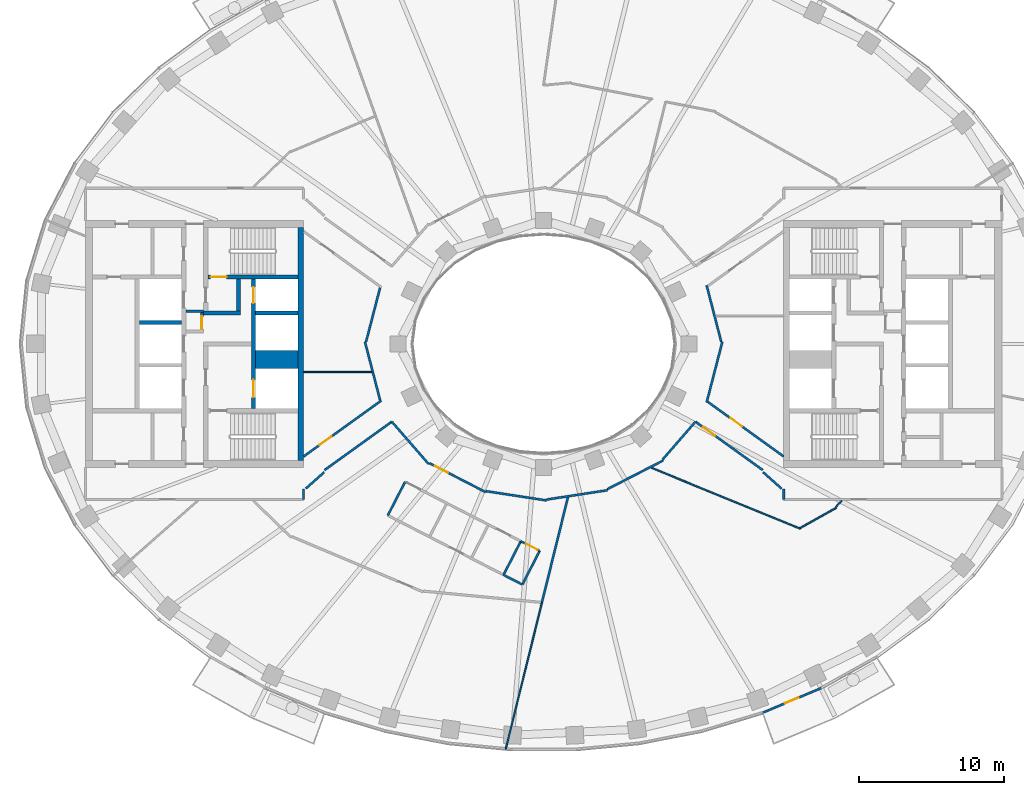
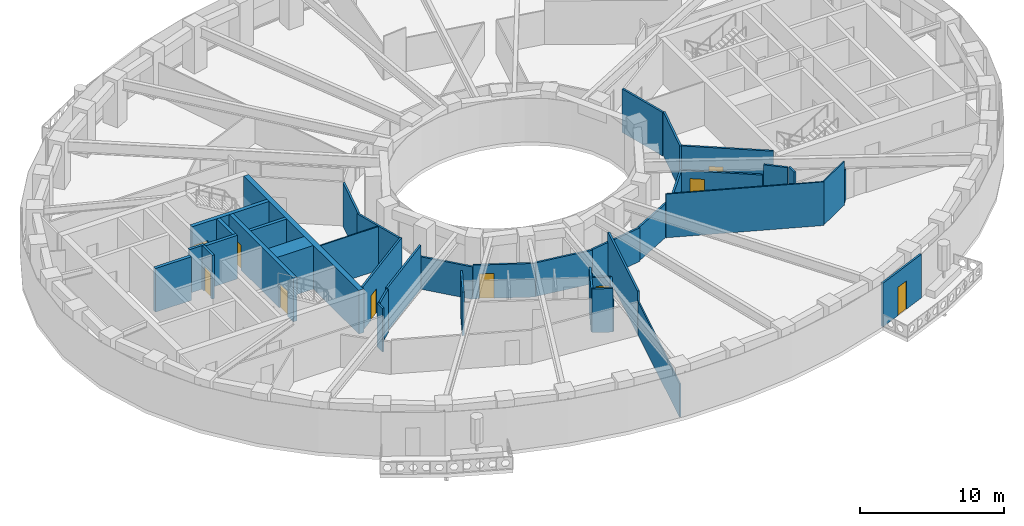
# One storey, part 4 of 15: 40 walls, 10 doors, 10 openings.
"""IFC4 building model written with IfcOpenShell, lengths in metres."""

from ifc_helpers import new_model, si_unit, direction, frame, frame_2d, origin, place, context, subcontext, project, spatial, rectangle, extrude, material, layer, layer_set, type_object, element, fill, save


model = new_model("IFC4")

# Units and contexts
model_context = context("Model", 3, precision=1e-05, world=origin(), true_north=direction((0.0, 1.0)))
body_context = subcontext(model_context, "Body", "Model", "MODEL_VIEW")
ifc_project = project(units=[si_unit("LENGTHUNIT", "METRE"), si_unit("AREAUNIT", "SQUARE_METRE"), si_unit("VOLUMEUNIT", "CUBIC_METRE"), si_unit("PLANEANGLEUNIT", "RADIAN"), si_unit("MASSUNIT", "GRAM", prefix="KILO")], contexts=[model_context])

# Site, building, storey
site_placement = place(None, origin())
site = spatial("IfcSite", under=ifc_project, at=site_placement, CompositionType="ELEMENT")
building_placement = place(site_placement, origin())
building = spatial("IfcBuilding", under=site, at=building_placement, Name="Noorbagh Ring Tower", CompositionType="ELEMENT")
storey_placement = place(building_placement, frame((0.0, 0.0, 170.0)))
storey = spatial("IfcBuildingStorey", under=building, at=storey_placement, Name="L39", CompositionType="ELEMENT", Elevation=170.0)

# Walls
ifc_material_1 = material(Name="Gypsum board on steel studs", Category="steel")
ifc_layer_1 = layer(ifc_material_1, 0.14990234375)
ifc_layer_set_1 = layer_set([ifc_layer_1], Name="Gypsum board on steel studs")
wall_type_1 = type_object("IfcWallType", Name="COMPARTMENT PARTITION 150 EI 60", PredefinedType="PARTITIONING", material=ifc_layer_set_1)
wall_1_placement = place(storey_placement, frame((-2.758056640625, -15.876953125, 0.0), z_axis=(0.0, 0.0, 1.0), x_axis=(0.45687697466, 0.88952989271, 0.0)))
element("IfcWall", 1, at=wall_1_placement, inside=storey, type_object=wall_type_1, Name="L39/wall/P33", PredefinedType="PARTITIONING", context=body_context, shape_type="SweptSolid", body=[
    extrude(rectangle(XDim=2.600341796875, YDim=0.14990234375, at=frame_2d((1.30029296875, 0.0))), origin(), (0.0, 0.0, 1.0), 3.699951171875),
])
wall_2_placement = place(storey_placement, frame((-2.758056640625, -15.876953125, 0.0), z_axis=(0.0, 0.0, 1.0), x_axis=(0.889397143567, -0.45713534212, 0.0)))
element("IfcWall", 2, at=wall_2_placement, inside=storey, type_object=wall_type_1, Name="L39/wall/P34", PredefinedType="PARTITIONING", context=body_context, shape_type="SweptSolid", body=[
    extrude(rectangle(XDim=1.45263671875, YDim=0.14990234375, at=frame_2d((0.726318359375, 0.0))), origin(), (0.0, 0.0, 1.0), 3.699951171875),
])

# Wall, opening, door
wall_3_placement = place(storey_placement, frame((-1.570068359375, -13.56396484375, 0.0), z_axis=(0.0, 0.0, 1.0), x_axis=(0.889307281448, -0.457310134551, 0.0)))
wall_3 = element("IfcWall", 3, at=wall_3_placement, inside=storey, type_object=wall_type_1, Name="L39/wall/P36", PredefinedType="PARTITIONING", context=body_context, shape_type="SweptSolid", body=[
    extrude(rectangle(XDim=1.456298828125, YDim=0.14990234375, at=frame_2d((0.72802734375, 0.0))), origin(), (0.0, 0.0, 1.0), 2.85009765625),
])
opening_1_placement = place(wall_3_placement, frame((0.39990234375, 0.0, 0.0)))
opening_1 = element("IfcOpeningElement", 4, at=opening_1_placement, cuts=wall_3, Name="Opening D4", PredefinedType="OPENING", context=body_context, shape_type="SweptSolid", body=[
    extrude(rectangle(XDim=0.89990234375, YDim=2.10009765625, at=frame_2d((0.449951171875, 1.050048828125))), frame((0.0, 0.0849609375, 0.0), z_axis=(0.0, -1.0, 0.0), x_axis=(1.0, 0.0, 0.0)), (0.0, 0.0, 1.0), 0.169921875),
])
ifc_material_2 = material(Name="Timber, painted", Category="wood")
door_type_1 = type_object("IfcDoorType", Name="DOOR 900 X 2100 FD60", OperationType="SINGLE_SWING_LEFT", PredefinedType="DOOR", material=ifc_material_2)
door_1_placement = place(opening_1_placement, origin())
door_1 = element("IfcDoor", 5, at=door_1_placement, inside=storey, type_object=door_type_1, Name="L39-D05", OperationType="SINGLE_SWING_LEFT", OverallHeight=2.10009765625, OverallWidth=0.89990234375, PredefinedType="DOOR", context=body_context, shape_type="SweptSolid", body=[
    extrude(rectangle(XDim=0.89990234375, YDim=2.10009765625, at=frame_2d((0.449951171875, 1.050048828125))), frame((0.0, 0.02490234375, 0.0), z_axis=(0.0, -1.0, 0.0), x_axis=(1.0, 0.0, 0.0)), (0.0, 0.0, 1.0), 0.050048828125),
])
fill(opening_1, door_1)

# Walls
wall_4_placement = place(storey_placement, frame((-1.4609375, -16.5390625, 0.0), z_axis=(0.0, 0.0, 1.0), x_axis=(0.456893187255, 0.889521565472, 0.0)))
element("IfcWall", 6, at=wall_4_placement, inside=storey, type_object=wall_type_1, Name="L39/wall/P37", PredefinedType="PARTITIONING", context=body_context, shape_type="SweptSolid", body=[
    extrude(rectangle(XDim=2.595947265625, YDim=0.14990234375, at=frame_2d((1.2978515625, 0.0))), origin(), (0.0, 0.0, 1.0), 2.85009765625),
])
ifc_material_3 = material(Name="Gypsum board on steel studs", Category="steel")
ifc_layer_2 = layer(ifc_material_3, 0.199951171875)
ifc_layer_set_2 = layer_set([ifc_layer_2], Name="Gypsum board on steel studs")
wall_type_2 = type_object("IfcWallType", Name="CORE-PARTITION-200", PredefinedType="PARTITIONING", material=ifc_layer_set_2)
wall_5_placement = place(storey_placement, frame((-23.39990234375, 2.25, 0.0), z_axis=(0.0, 0.0, 1.0), x_axis=(-1.0, 0.0, 0.0)))
element("IfcWall", 7, at=wall_5_placement, inside=storey, type_object=wall_type_2, Name="Core partition W", PredefinedType="PARTITIONING", context=body_context, shape_type="SweptSolid", body=[
    extrude(rectangle(XDim=1.2001953125, YDim=0.199951171875, at=frame_2d((0.60009765625, 0.0))), origin(), (0.0, 0.0, 1.0), 3.699951171875),
])

# Wall, opening, door
wall_6_placement = place(storey_placement, frame((-23.5, 0.75, 0.0), z_axis=(0.0, 0.0, 1.0), x_axis=(0.0, 1.0, 0.0)))
wall_6 = element("IfcWall", 8, at=wall_6_placement, inside=storey, type_object=wall_type_2, Name="Core partition W", PredefinedType="PARTITIONING", context=body_context, shape_type="SweptSolid", body=[
    extrude(rectangle(XDim=1.60009765625, YDim=0.199951171875, at=frame_2d((0.800048828125, 0.0))), origin(), (0.0, 0.0, 1.0), 3.699951171875),
])
opening_2_placement = place(wall_6_placement, frame((0.25, 0.0, 0.0)))
opening_2 = element("IfcOpeningElement", 9, at=opening_2_placement, cuts=wall_6, Name="Opening L39-CW16", PredefinedType="OPENING", context=body_context, shape_type="SweptSolid", body=[
    extrude(rectangle(XDim=0.89990234375, YDim=2.10009765625, at=frame_2d((0.449951171875, 1.050048828125))), frame((0.0, 0.10986328125, 0.0), z_axis=(0.0, -1.0, 0.0), x_axis=(1.0, 0.0, 0.0)), (0.0, 0.0, 1.0), 0.219970703125),
])
ifc_material_4 = material(Name="Steel door leaf", Category="steel")
door_type_2 = type_object("IfcDoorType", Name="CORE-DOOR-DROOM", OperationType="SINGLE_SWING_LEFT", PredefinedType="DOOR", material=ifc_material_4)
door_2_placement = place(opening_2_placement, origin())
door_2 = element("IfcDoor", 10, at=door_2_placement, inside=storey, type_object=door_type_2, Name="Core room door L39-CW16", OperationType="SINGLE_SWING_RIGHT", OverallHeight=2.10009765625, OverallWidth=0.89990234375, PredefinedType="DOOR", context=body_context, shape_type="SweptSolid", body=[
    extrude(rectangle(XDim=0.89990234375, YDim=2.10009765625, at=frame_2d((0.449951171875, 1.050048828125))), frame((0.0, 0.02490234375, 0.0), z_axis=(0.0, -1.0, 0.0), x_axis=(1.0, 0.0, 0.0)), (0.0, 0.0, 1.0), 0.050048828125),
])
fill(opening_2, door_2)

# Walls
ifc_material_5 = material(Name="Concrete C60/75", Category="concrete")
ifc_layer_3 = layer(ifc_material_5, 1.25)
ifc_layer_set_3 = layer_set([ifc_layer_3], Name="Concrete C60/75")
wall_type_3 = type_object("IfcWallType", Name="CORE-WALL-1250-C60-75-EI120", PredefinedType="SHEAR", material=ifc_layer_set_3)
wall_7_placement = place(storey_placement, frame((-16.89990234375, -1.074951171875, 0.0), z_axis=(0.0, 0.0, 1.0), x_axis=(-1.0, 0.0, 0.0)))
element("IfcWall", 11, at=wall_7_placement, inside=storey, type_object=wall_type_3, Name="Core wall W", PredefinedType="SHEAR", context=body_context, shape_type="SweptSolid", body=[
    extrude(rectangle(XDim=2.900146484375, YDim=1.25, at=frame_2d((1.4501953125, 0.0))), origin(), (0.0, 0.0, 1.0), 3.699951171875),
])
ifc_material_6 = material(Name="Concrete C60/75", Category="concrete")
ifc_layer_4 = layer(ifc_material_6, 0.25)
ifc_layer_set_4 = layer_set([ifc_layer_4], Name="Concrete C60/75")
wall_type_4 = type_object("IfcWallType", Name="CORE-WALL-250-C60-75-EI120", PredefinedType="SHEAR", material=ifc_layer_set_4)
for number, where, z_axis, x_axis, name in (
    (12, (-16.89990234375, 2.125, 0.0), (0.0, 0.0, 1.0), (-1.0, 0.0, 0.0), "Core wall W"),
    (13, (-24.89990234375, 1.47509765625, 0.0), (0.0, 0.0, 1.0), (-1.0, 0.0, 0.0), "Core wall W"),
):
    element("IfcWall", number, at=place(storey_placement, frame(where, z_axis=z_axis, x_axis=x_axis)), inside=storey, type_object=wall_type_4, Name=name, PredefinedType="SHEAR", context=body_context, shape_type="SweptSolid", body=[
        extrude(rectangle(XDim=2.900146484375, YDim=0.25, at=frame_2d((1.4501953125, 0.0))), origin(), (0.0, 0.0, 1.0), 3.699951171875),
    ])
ifc_material_7 = material(Name="Concrete C60/75", Category="concrete")
ifc_layer_5 = layer(ifc_material_7, 0.25)
ifc_layer_set_5 = layer_set([ifc_layer_5], Name="Concrete C60/75")
wall_type_5 = type_object("IfcWallType", Name="CORE-WALL-250-C60-75-EI240", PredefinedType="SHEAR", material=ifc_layer_set_5)
wall_8_placement = place(storey_placement, frame((-20.85009765625, 2.125, 0.0), z_axis=(0.0, 0.0, 1.0), x_axis=(-1.0, 0.0, 0.0)))
element("IfcWall", 14, at=wall_8_placement, inside=storey, type_object=wall_type_5, Name="Core wall W", PredefinedType="SHEAR", context=body_context, shape_type="SweptSolid", body=[
    extrude(rectangle(XDim=2.52978515625, YDim=0.25, at=frame_2d((1.264892578125, 0.0))), origin(), (0.0, 0.0, 1.0), 3.699951171875),
])
wall_9_placement = place(storey_placement, frame((-20.97509765625, 2.25, 0.0), z_axis=(0.0, 0.0, 1.0), x_axis=(0.0, 1.0, 0.0)))
element("IfcWall", 15, at=wall_9_placement, inside=storey, type_object=wall_type_5, Name="Core wall W", PredefinedType="SHEAR", context=body_context, shape_type="SweptSolid", body=[
    extrude(rectangle(XDim=2.199951171875, YDim=0.25, at=frame_2d((1.10009765625, 0.0))), origin(), (0.0, 0.0, 1.0), 3.699951171875),
])

# Wall, openings, doors
ifc_material_8 = material(Name="Concrete C60/75", Category="concrete")
ifc_layer_6 = layer(ifc_material_8, 0.300048828125)
ifc_layer_set_6 = layer_set([ifc_layer_6], Name="Concrete C60/75")
wall_type_6 = type_object("IfcWallType", Name="CORE-WALL-300-C60-75-EI120", PredefinedType="SHEAR", material=ifc_layer_set_6)
wall_10_placement = place(storey_placement, frame((-19.949951171875, -4.449951171875, 0.0), z_axis=(0.0, 0.0, 1.0), x_axis=(0.0, 1.0, 0.0)))
wall_10 = element("IfcWall", 16, at=wall_10_placement, inside=storey, type_object=wall_type_6, Name="Core wall W", PredefinedType="SHEAR", context=body_context, shape_type="SweptSolid", body=[
    extrude(rectangle(XDim=8.89990234375, YDim=0.300048828125, at=frame_2d((4.449951171875, 0.0))), origin(), (0.0, 0.0, 1.0), 3.699951171875),
])
opening_3_placement = place(wall_10_placement, frame((0.77490234375, 0.0, 0.0)))
opening_3 = element("IfcOpeningElement", 17, at=opening_3_placement, cuts=wall_10, Name="Opening L39-CW01", PredefinedType="OPENING", context=body_context, shape_type="SweptSolid", body=[
    extrude(rectangle(XDim=1.199951171875, YDim=2.10009765625, at=frame_2d((0.60009765625, 1.050048828125))), frame((0.0, 0.16015625, 0.0), z_axis=(0.0, -1.0, 0.0), x_axis=(1.0, 0.0, 0.0)), (0.0, 0.0, 1.0), 0.320068359375),
])
opening_4_placement = place(wall_10_placement, frame((7.25, 0.0, 0.0)))
opening_4 = element("IfcOpeningElement", 18, at=opening_4_placement, cuts=wall_10, Name="Opening L39-CW02", PredefinedType="OPENING", context=body_context, shape_type="SweptSolid", body=[
    extrude(rectangle(XDim=1.10009765625, YDim=2.10009765625, at=frame_2d((0.550048828125, 1.050048828125))), frame((0.0, 0.16015625, 0.0), z_axis=(0.0, -1.0, 0.0), x_axis=(1.0, 0.0, 0.0)), (0.0, 0.0, 1.0), 0.320068359375),
])
ifc_material_9 = material(Name="Steel door leaf", Category="steel")
door_type_3 = type_object("IfcDoorType", Name="CORE-DOOR-LD", OperationType="DOUBLE_DOOR_SLIDING", PredefinedType="DOOR", material=ifc_material_9)
door_3_placement = place(opening_4_placement, origin())
door_3 = element("IfcDoor", 19, at=door_3_placement, inside=storey, type_object=door_type_3, Name="Landing door HR1 L39-CW02", OperationType="DOUBLE_DOOR_SLIDING", OverallHeight=2.10009765625, OverallWidth=1.10009765625, PredefinedType="DOOR", context=body_context, shape_type="SweptSolid", body=[
    extrude(rectangle(XDim=1.10009765625, YDim=2.10009765625, at=frame_2d((0.550048828125, 1.050048828125))), frame((0.0, 0.02490234375, 0.0), z_axis=(0.0, -1.0, 0.0), x_axis=(1.0, 0.0, 0.0)), (0.0, 0.0, 1.0), 0.050048828125),
])
fill(opening_4, door_3)
ifc_material_10 = material(Name="Steel door leaf", Category="steel")
door_type_4 = type_object("IfcDoorType", Name="CORE-DOOR-LDW", OperationType="DOUBLE_DOOR_SLIDING", PredefinedType="DOOR", material=ifc_material_10)
door_4_placement = place(opening_3_placement, origin())
door_4 = element("IfcDoor", 20, at=door_4_placement, inside=storey, type_object=door_type_4, Name="Landing door FF1 L39-CW01", OperationType="DOUBLE_DOOR_SLIDING", OverallHeight=2.10009765625, OverallWidth=1.199951171875, PredefinedType="DOOR", context=body_context, shape_type="SweptSolid", body=[
    extrude(rectangle(XDim=1.199951171875, YDim=2.10009765625, at=frame_2d((0.60009765625, 1.050048828125))), frame((0.0, 0.02490234375, 0.0), z_axis=(0.0, -1.0, 0.0), x_axis=(1.0, 0.0, 0.0)), (0.0, 0.0, 1.0), 0.050048828125),
])
fill(opening_3, door_4)

# Wall, opening, door
ifc_material_11 = material(Name="Concrete C60/75", Category="concrete")
ifc_layer_7 = layer(ifc_material_11, 0.300048828125)
ifc_layer_set_7 = layer_set([ifc_layer_7], Name="Concrete C60/75")
wall_type_7 = type_object("IfcWallType", Name="CORE-WALL-300-C60-75-EI240", PredefinedType="SHEAR", material=ifc_layer_set_7)
wall_11_placement = place(storey_placement, frame((-16.89990234375, 4.60009765625, 0.0), z_axis=(0.0, 0.0, 1.0), x_axis=(-1.0, 0.0, 0.0)))
wall_11 = element("IfcWall", 21, at=wall_11_placement, inside=storey, type_object=wall_type_7, Name="Core wall W", PredefinedType="SHEAR", context=body_context, shape_type="SweptSolid", body=[
    extrude(rectangle(XDim=6.18017578125, YDim=0.300048828125, at=frame_2d((3.090087890625, 0.0))), origin(), (0.0, 0.0, 1.0), 3.699951171875),
])
opening_5_placement = place(wall_11_placement, frame((4.89990234375, 0.0, 0.0)))
opening_5 = element("IfcOpeningElement", 22, at=opening_5_placement, cuts=wall_11, Name="Opening L39-CW06", PredefinedType="OPENING", context=body_context, shape_type="SweptSolid", body=[
    extrude(rectangle(XDim=1.10009765625, YDim=2.10009765625, at=frame_2d((0.550048828125, 1.050048828125))), frame((0.0, 0.16015625, 0.0), z_axis=(0.0, -1.0, 0.0), x_axis=(1.0, 0.0, 0.0)), (0.0, 0.0, 1.0), 0.320068359375),
])
ifc_material_12 = material(Name="Steel door leaf", Category="steel")
door_type_5 = type_object("IfcDoorType", Name="CORE-DOOR-DSTAIR", OperationType="SINGLE_SWING_LEFT", PredefinedType="DOOR", material=ifc_material_12)
door_5_placement = place(opening_5_placement, origin())
door_5 = element("IfcDoor", 23, at=door_5_placement, inside=storey, type_object=door_type_5, Name="Stair door ST1 L39-CW06", OperationType="SINGLE_SWING_RIGHT", OverallHeight=2.10009765625, OverallWidth=1.10009765625, PredefinedType="DOOR", context=body_context, shape_type="SweptSolid", body=[
    extrude(rectangle(XDim=1.10009765625, YDim=2.10009765625, at=frame_2d((0.550048828125, 1.050048828125))), frame((0.0, 0.02490234375, 0.0), z_axis=(0.0, -1.0, 0.0), x_axis=(1.0, 0.0, 0.0)), (0.0, 0.0, 1.0), 0.050048828125),
])
fill(opening_5, door_5)

# Walls
ifc_material_13 = material(Name="Concrete C60/75", Category="concrete")
ifc_layer_8 = layer(ifc_material_13, 0.39990234375)
ifc_layer_set_8 = layer_set([ifc_layer_8], Name="Concrete C60/75")
wall_type_8 = type_object("IfcWallType", Name="CORE-WALL-400-C60-75-EI240", PredefinedType="SHEAR", material=ifc_layer_set_8)
wall_12_placement = place(storey_placement, frame((-16.699951171875, -8.0, 0.0), z_axis=(0.0, 0.0, 1.0), x_axis=(0.0, 1.0, 0.0)))
element("IfcWall", 24, at=wall_12_placement, inside=storey, type_object=wall_type_8, Name="Core wall W", PredefinedType="SHEAR", context=body_context, shape_type="SweptSolid", body=[
    extrude(rectangle(XDim=16.0, YDim=0.39990234375, at=frame_2d((8.0, 0.0))), origin(), (0.0, 0.0, 1.0), 3.699951171875),
])
ifc_material_14 = material(Name="Gypsum board on steel studs", Category="steel")
ifc_layer_9 = layer(ifc_material_14, 0.14990234375)
ifc_layer_set_9 = layer_set([ifc_layer_9], Name="Gypsum board on steel studs")
wall_type_9 = type_object("IfcWallType", Name="CORRIDOR PARTITION 150 EI 30", PredefinedType="PARTITIONING", material=ifc_layer_set_9)
wall_13_placement = place(storey_placement, frame((-16.5, -10.699951171875, 0.0), z_axis=(0.0, 0.0, 1.0), x_axis=(0.0, 1.0, 0.0)))
element("IfcWall", 25, at=wall_13_placement, inside=storey, type_object=wall_type_9, Name="L39/wall/P11", PredefinedType="PARTITIONING", context=body_context, shape_type="SweptSolid", body=[
    extrude(rectangle(XDim=0.73583984375, YDim=0.14990234375, at=frame_2d((0.367919921875, 0.0))), origin(), (0.0, 0.0, 1.0), 3.699951171875),
])

# Wall, opening, door
wall_14_placement = place(storey_placement, frame((-16.5, -7.735107421875, 0.0), z_axis=(0.0, 0.0, 1.0), x_axis=(0.811616692984, 0.584190331715, 0.0)))
wall_14 = element("IfcWall", 26, at=wall_14_placement, inside=storey, type_object=wall_type_9, Name="L39/wall/P14", PredefinedType="PARTITIONING", context=body_context, shape_type="SweptSolid", body=[
    extrude(rectangle(XDim=6.578369140625, YDim=0.14990234375, at=frame_2d((3.2890625, 0.0))), origin(), (0.0, 0.0, 1.0), 3.699951171875),
])
opening_6_placement = place(wall_14_placement, frame((1.34814453125, 0.0, 0.0)))
opening_6 = element("IfcOpeningElement", 27, at=opening_6_placement, cuts=wall_14, Name="Opening D1", PredefinedType="OPENING", context=body_context, shape_type="SweptSolid", body=[
    extrude(rectangle(XDim=1.0, YDim=2.10009765625, at=frame_2d((0.5, 1.050048828125))), frame((0.0, 0.0849609375, 0.0), z_axis=(0.0, -1.0, 0.0), x_axis=(1.0, 0.0, 0.0)), (0.0, 0.0, 1.0), 0.169921875),
])
ifc_material_15 = material(Name="Timber, painted", Category="wood")
door_type_6 = type_object("IfcDoorType", Name="DOOR 1000 X 2100 FD30", OperationType="SINGLE_SWING_LEFT", PredefinedType="DOOR", material=ifc_material_15)
door_6_placement = place(opening_6_placement, origin())
door_6 = element("IfcDoor", 28, at=door_6_placement, inside=storey, type_object=door_type_6, Name="L39-D16", OperationType="SINGLE_SWING_RIGHT", OverallHeight=2.10009765625, OverallWidth=1.0, PredefinedType="DOOR", context=body_context, shape_type="SweptSolid", body=[
    extrude(rectangle(XDim=1.0, YDim=2.10009765625, at=frame_2d((0.5, 1.050048828125))), frame((0.0, 0.02490234375, 0.0), z_axis=(0.0, -1.0, 0.0), x_axis=(1.0, 0.0, 0.0)), (0.0, 0.0, 1.0), 0.050048828125),
])
fill(opening_6, door_6)

# Walls
wall_15_placement = place(storey_placement, frame((-15.06103515625, -8.6708984375, 0.0), z_axis=(0.0, 0.0, 1.0), x_axis=(0.811697765448, 0.584077681106, 0.0)))
element("IfcWall", 29, at=wall_15_placement, inside=storey, type_object=wall_type_9, Name="L39/wall/P16", PredefinedType="PARTITIONING", context=body_context, shape_type="SweptSolid", body=[
    extrude(rectangle(XDim=5.6943359375, YDim=0.14990234375, at=frame_2d((2.84716796875, 0.0))), origin(), (0.0, 0.0, 1.0), 3.699951171875),
])
wall_16_placement = place(storey_placement, frame((-12.285888671875, 0.14892578125, 0.0), z_axis=(0.0, 0.0, 1.0), x_axis=(0.250998973278, -0.96798735292, 0.0)))
element("IfcWall", 30, at=wall_16_placement, inside=storey, type_object=wall_type_9, Name="L39/wall/P19", PredefinedType="PARTITIONING", context=body_context, shape_type="SweptSolid", body=[
    extrude(rectangle(XDim=4.142578125, YDim=0.14990234375, at=frame_2d((2.0712890625, 0.0))), origin(), (0.0, 0.0, 1.0), 3.699951171875),
])
wall_17_placement = place(storey_placement, frame((-12.2080078125, 0.14892578125, 0.0), z_axis=(0.0, 0.0, 1.0), x_axis=(0.250840636591, 0.968028395779, 0.0)))
element("IfcWall", 31, at=wall_17_placement, inside=storey, type_object=wall_type_9, Name="L39/wall/P20", PredefinedType="PARTITIONING", context=body_context, shape_type="SweptSolid", body=[
    extrude(rectangle(XDim=3.834716796875, YDim=0.14990234375, at=frame_2d((1.91748046875, 0.0))), origin(), (0.0, 0.0, 1.0), 3.699951171875),
])
wall_18_placement = place(storey_placement, frame((-10.712890625, -11.7890625, 0.0), z_axis=(0.0, 0.0, 1.0), x_axis=(0.457029651421, 0.88945145889, 0.0)))
element("IfcWall", 32, at=wall_18_placement, inside=storey, type_object=wall_type_9, Name="L39/wall/P21", PredefinedType="PARTITIONING", context=body_context, shape_type="SweptSolid", body=[
    extrude(rectangle(XDim=2.599365234375, YDim=0.14990234375, at=frame_2d((1.2998046875, 0.0))), origin(), (0.0, 0.0, 1.0), 3.699951171875),
])
wall_19_placement = place(storey_placement, frame((-10.43896484375, -5.344970703125, 0.0), z_axis=(0.0, 0.0, 1.0), x_axis=(0.656405809938, -0.754407988213, 0.0)))
element("IfcWall", 33, at=wall_19_placement, inside=storey, type_object=wall_type_9, Name="L39/wall/P23", PredefinedType="PARTITIONING", context=body_context, shape_type="SweptSolid", body=[
    extrude(rectangle(XDim=3.85888671875, YDim=0.14990234375, at=frame_2d((1.929443359375, 0.0))), origin(), (0.0, 0.0, 1.0), 2.75),
])

# Wall, opening, door
wall_20_placement = place(storey_placement, frame((-7.85888671875, -8.196044921875, 0.0), z_axis=(0.0, 0.0, 1.0), x_axis=(0.889405670308, -0.457118752213, 0.0)))
wall_20 = element("IfcWall", 34, at=wall_20_placement, inside=storey, type_object=wall_type_9, Name="L39/wall/P27", PredefinedType="PARTITIONING", context=body_context, shape_type="SweptSolid", body=[
    extrude(rectangle(XDim=4.35546875, YDim=0.14990234375, at=frame_2d((2.177734375, 0.0))), origin(), (0.0, 0.0, 1.0), 2.85009765625),
])
opening_7_placement = place(wall_20_placement, frame((0.447998046875, 0.0, 0.0)))
opening_7 = element("IfcOpeningElement", 35, at=opening_7_placement, cuts=wall_20, Name="Opening D1", PredefinedType="OPENING", context=body_context, shape_type="SweptSolid", body=[
    extrude(rectangle(XDim=1.0, YDim=2.10009765625, at=frame_2d((0.5, 1.050048828125))), frame((0.0, 0.0849609375, 0.0), z_axis=(0.0, -1.0, 0.0), x_axis=(1.0, 0.0, 0.0)), (0.0, 0.0, 1.0), 0.169921875),
])
door_7_placement = place(opening_7_placement, origin())
door_7 = element("IfcDoor", 36, at=door_7_placement, inside=storey, type_object=door_type_6, Name="L39-D01", OperationType="SINGLE_SWING_LEFT", OverallHeight=2.10009765625, OverallWidth=1.0, PredefinedType="DOOR", context=body_context, shape_type="SweptSolid", body=[
    extrude(rectangle(XDim=1.0, YDim=2.10009765625, at=frame_2d((0.5, 1.050048828125))), frame((0.0, 0.02490234375, 0.0), z_axis=(0.0, -1.0, 0.0), x_axis=(1.0, 0.0, 0.0)), (0.0, 0.0, 1.0), 0.050048828125),
])
fill(opening_7, door_7)

# Walls
wall_21_placement = place(storey_placement, frame((-3.964111328125, -10.12109375, 0.0), z_axis=(0.0, 0.0, 1.0), x_axis=(0.988463044045, -0.151462241359, 0.0)))
element("IfcWall", 37, at=wall_21_placement, inside=storey, type_object=wall_type_9, Name="L39/wall/P31", PredefinedType="PARTITIONING", context=body_context, shape_type="SweptSolid", body=[
    extrude(rectangle(XDim=4.224853515625, YDim=0.14990234375, at=frame_2d((2.1123046875, 0.0))), origin(), (0.0, 0.0, 1.0), 2.85009765625),
])
wall_22_placement = place(storey_placement, frame((-0.118896484375, -17.77197265625, 0.0), z_axis=(0.0, 0.0, 1.0), x_axis=(0.239932477291, 0.970789578818, 0.0)))
element("IfcWall", 38, at=wall_22_placement, inside=storey, type_object=wall_type_9, Name="L39/wall/P38", PredefinedType="PARTITIONING", context=body_context, shape_type="SweptSolid", body=[
    extrude(rectangle(XDim=7.439208984375, YDim=0.14990234375, at=frame_2d((3.7197265625, 0.0))), origin(), (0.0, 0.0, 1.0), 3.699951171875),
])
wall_23_placement = place(storey_placement, frame((0.2119140625, -10.697021484375, 0.0), z_axis=(0.0, 0.0, 1.0), x_axis=(0.988454390794, 0.151518702874, 0.0)))
element("IfcWall", 39, at=wall_23_placement, inside=storey, type_object=wall_type_9, Name="L39/wall/P41", PredefinedType="PARTITIONING", context=body_context, shape_type="SweptSolid", body=[
    extrude(rectangle(XDim=4.224853515625, YDim=0.14990234375, at=frame_2d((2.1123046875, 0.0))), origin(), (0.0, 0.0, 1.0), 2.85009765625),
])
wall_24_placement = place(storey_placement, frame((4.366943359375, -9.990966796875, 0.0), z_axis=(0.0, 0.0, 1.0), x_axis=(0.889480321924, 0.456973475061, 0.0)))
element("IfcWall", 40, at=wall_24_placement, inside=storey, type_object=wall_type_9, Name="L39/wall/P45", PredefinedType="PARTITIONING", context=body_context, shape_type="SweptSolid", body=[
    extrude(rectangle(XDim=4.33056640625, YDim=0.14990234375, at=frame_2d((2.165283203125, 0.0))), origin(), (0.0, 0.0, 1.0), 2.85009765625),
])
wall_25_placement = place(storey_placement, frame((8.172119140625, -7.951904296875, 0.0), z_axis=(0.0, 0.0, 1.0), x_axis=(0.656169966724, 0.754613129206, 0.0)))
element("IfcWall", 41, at=wall_25_placement, inside=storey, type_object=wall_type_9, Name="L39/wall/P49", PredefinedType="PARTITIONING", context=body_context, shape_type="SweptSolid", body=[
    extrude(rectangle(XDim=3.45458984375, YDim=0.14990234375, at=frame_2d((1.727294921875, 0.0))), origin(), (0.0, 0.0, 1.0), 2.75),
])

# Wall, opening, door
wall_26_placement = place(storey_placement, frame((10.43896484375, -5.344970703125, 0.0), z_axis=(0.0, 0.0, 1.0), x_axis=(0.811697765448, -0.584077681106, 0.0)))
wall_26 = element("IfcWall", 42, at=wall_26_placement, inside=storey, type_object=wall_type_9, Name="L39/wall/P52", PredefinedType="PARTITIONING", context=body_context, shape_type="SweptSolid", body=[
    extrude(rectangle(XDim=5.6943359375, YDim=0.14990234375, at=frame_2d((2.84716796875, 0.0))), origin(), (0.0, 0.0, 1.0), 2.75),
])
opening_8_placement = place(wall_26_placement, frame((0.64990234375, 0.0, 0.0)))
opening_8 = element("IfcOpeningElement", 43, at=opening_8_placement, cuts=wall_26, Name="Opening D1", PredefinedType="OPENING", context=body_context, shape_type="SweptSolid", body=[
    extrude(rectangle(XDim=1.0, YDim=2.10009765625, at=frame_2d((0.5, 1.050048828125))), frame((0.0, 0.0849609375, 0.0), z_axis=(0.0, -1.0, 0.0), x_axis=(1.0, 0.0, 0.0)), (0.0, 0.0, 1.0), 0.169921875),
])
door_8_placement = place(opening_8_placement, origin())
door_8 = element("IfcDoor", 44, at=door_8_placement, inside=storey, type_object=door_type_6, Name="L39-D13", OperationType="SINGLE_SWING_LEFT", OverallHeight=2.10009765625, OverallWidth=1.0, PredefinedType="DOOR", context=body_context, shape_type="SweptSolid", body=[
    extrude(rectangle(XDim=1.0, YDim=2.10009765625, at=frame_2d((0.5, 1.050048828125))), frame((0.0, 0.02490234375, 0.0), z_axis=(0.0, -1.0, 0.0), x_axis=(1.0, 0.0, 0.0)), (0.0, 0.0, 1.0), 0.050048828125),
])
fill(opening_8, door_8)

# Wall
wall_27_placement = place(storey_placement, frame((11.2060546875, -4.01708984375, 0.0), z_axis=(0.0, 0.0, 1.0), x_axis=(0.250909003024, 0.968010677731, 0.0)))
element("IfcWall", 45, at=wall_27_placement, inside=storey, type_object=wall_type_9, Name="L39/wall/P54", PredefinedType="PARTITIONING", context=body_context, shape_type="SweptSolid", body=[
    extrude(rectangle(XDim=4.3037109375, YDim=0.14990234375, at=frame_2d((2.15185546875, 0.0))), origin(), (0.0, 0.0, 1.0), 3.699951171875),
])

# Wall, opening, door
wall_28_placement = place(storey_placement, frame((11.291015625, -3.986083984375, 0.0), z_axis=(0.0, 0.0, 1.0), x_axis=(0.81164111506, -0.584156400584, 0.0)))
wall_28 = element("IfcWall", 46, at=wall_28_placement, inside=storey, type_object=wall_type_9, Name="L39/wall/P55", PredefinedType="PARTITIONING", context=body_context, shape_type="SweptSolid", body=[
    extrude(rectangle(XDim=6.417724609375, YDim=0.14990234375, at=frame_2d((3.208984375, 0.0))), origin(), (0.0, 0.0, 1.0), 3.699951171875),
])
opening_9_placement = place(wall_28_placement, frame((1.903076171875, 0.0, 0.0)))
opening_9 = element("IfcOpeningElement", 47, at=opening_9_placement, cuts=wall_28, Name="Opening D1", PredefinedType="OPENING", context=body_context, shape_type="SweptSolid", body=[
    extrude(rectangle(XDim=1.0, YDim=2.10009765625, at=frame_2d((0.5, 1.050048828125))), frame((0.0, 0.0849609375, 0.0), z_axis=(0.0, -1.0, 0.0), x_axis=(1.0, 0.0, 0.0)), (0.0, 0.0, 1.0), 0.169921875),
])
door_9_placement = place(opening_9_placement, origin())
door_9 = element("IfcDoor", 48, at=door_9_placement, inside=storey, type_object=door_type_6, Name="L39-D18", OperationType="SINGLE_SWING_RIGHT", OverallHeight=2.10009765625, OverallWidth=1.0, PredefinedType="DOOR", context=body_context, shape_type="SweptSolid", body=[
    extrude(rectangle(XDim=1.0, YDim=2.10009765625, at=frame_2d((0.5, 1.050048828125))), frame((0.0, 0.02490234375, 0.0), z_axis=(0.0, -1.0, 0.0), x_axis=(1.0, 0.0, 0.0)), (0.0, 0.0, 1.0), 0.050048828125),
])
fill(opening_9, door_9)

# Walls
wall_29_placement = place(storey_placement, frame((11.2060546875, 4.01708984375, 0.0), z_axis=(0.0, 0.0, 1.0), x_axis=(0.250750112686, -0.968051848295, 0.0)))
element("IfcWall", 49, at=wall_29_placement, inside=storey, type_object=wall_type_9, Name="L39/wall/P56", PredefinedType="PARTITIONING", context=body_context, shape_type="SweptSolid", body=[
    extrude(rectangle(XDim=3.995849609375, YDim=0.14990234375, at=frame_2d((1.998046875, 0.0))), origin(), (0.0, 0.0, 1.0), 3.699951171875),
])
wall_30_placement = place(storey_placement, frame((16.5, -10.699951171875, 0.0), z_axis=(0.0, 0.0, 1.0), x_axis=(0.0, 1.0, 0.0)))
element("IfcWall", 50, at=wall_30_placement, inside=storey, type_object=wall_type_9, Name="L39/wall/P60", PredefinedType="PARTITIONING", context=body_context, shape_type="SweptSolid", body=[
    extrude(rectangle(XDim=0.73583984375, YDim=0.14990234375, at=frame_2d((0.367919921875, 0.0))), origin(), (0.0, 0.0, 1.0), 3.699951171875),
])
for number, where, z_axis, x_axis, name in (
    (51, (-15.0869140625, -8.819091796875, 0.0), (0.0, 0.0, 1.0), (-0.747926695066, -0.663781333579, 0.0), "L39/wall/P71"),
    (52, (16.35205078125, -9.94189453125, 0.0), (0.0, 0.0, 1.0), (-0.747926695066, 0.663781333579, 0.0), "L39/wall/P73"),
):
    element("IfcWall", number, at=place(storey_placement, frame(where, z_axis=z_axis, x_axis=x_axis)), inside=storey, type_object=wall_type_9, Name=name, PredefinedType="PARTITIONING", context=body_context, shape_type="SweptSolid", body=[
        extrude(rectangle(XDim=1.69140625, YDim=0.14990234375, at=frame_2d((0.845703125, 0.0))), origin(), (0.0, 0.0, 1.0), 3.699951171875),
    ])

# Wall, opening, door
ifc_material_16 = material(Name="Insulated aluminium clad panel", Category="aluminium")
ifc_layer_10 = layer(ifc_material_16, 0.14990234375)
ifc_layer_set_10 = layer_set([ifc_layer_10], Name="Insulated aluminium clad panel")
wall_type_10 = type_object("IfcWallType", Name="ENV-WALL-DOOR", PredefinedType="STANDARD", material=ifc_layer_set_10)
wall_31_placement = place(storey_placement, frame((15.017822265625, -25.368896484375, 0.0), z_axis=(0.0, 0.0, 1.0), x_axis=(0.921816985161, 0.387625393736, 0.0)))
wall_31 = element("IfcWall", 53, at=wall_31_placement, inside=storey, type_object=wall_type_10, Name="Balcony door wall chord 39", PredefinedType="STANDARD", context=body_context, shape_type="SweptSolid", body=[
    extrude(rectangle(XDim=4.42578125, YDim=0.14990234375, at=frame_2d((2.212890625, 0.0))), origin(), (0.0, 0.0, 1.0), 3.699951171875),
])
opening_10_placement = place(wall_31_placement, frame((1.712890625, 0.0, 0.0)))
opening_10 = element("IfcOpeningElement", 54, at=opening_10_placement, cuts=wall_31, Name="Opening D-BL", PredefinedType="OPENING", context=body_context, shape_type="SweptSolid", body=[
    extrude(rectangle(XDim=1.0, YDim=2.39990234375, at=frame_2d((0.5, 1.199951171875))), frame((0.0, 0.0849609375, 0.0), z_axis=(0.0, -1.0, 0.0), x_axis=(1.0, 0.0, 0.0)), (0.0, 0.0, 1.0), 0.169921875),
])
ifc_material_17 = material(Name="Aluminium and glass", Category="aluminium")
door_type_7 = type_object("IfcDoorType", Name="ENV-DOOR-BALCONY", OperationType="SINGLE_SWING_LEFT", PredefinedType="DOOR", material=ifc_material_17)
door_10_placement = place(opening_10_placement, origin())
door_10 = element("IfcDoor", 55, at=door_10_placement, inside=storey, type_object=door_type_7, Name="Balcony door chord 39", OperationType="SINGLE_SWING_RIGHT", OverallHeight=2.39990234375, OverallWidth=1.0, PredefinedType="DOOR", context=body_context, shape_type="SweptSolid", body=[
    extrude(rectangle(XDim=1.0, YDim=2.39990234375, at=frame_2d((0.5, 1.199951171875))), frame((0.0, 0.02490234375, 0.0), z_axis=(0.0, -1.0, 0.0), x_axis=(1.0, 0.0, 0.0)), (0.0, 0.0, 1.0), 0.050048828125),
])
fill(opening_10, door_10)

# Walls
ifc_material_18 = material(Name="Gypsum board on steel studs", Category="steel")
ifc_layer_11 = layer(ifc_material_18, 0.10009765625)
ifc_layer_set_11 = layer_set([ifc_layer_11], Name="Gypsum board on steel studs")
wall_type_11 = type_object("IfcWallType", Name="PARTITION 100 GYPSUM", PredefinedType="PARTITIONING", material=ifc_layer_set_11)
wall_32_placement = place(storey_placement, frame((-16.5, -1.927978515625, 0.0), z_axis=(0.0, 0.0, 1.0), x_axis=(1.0, 0.0, 0.0)))
element("IfcWall", 56, at=wall_32_placement, inside=storey, type_object=wall_type_11, Name="L39/wall/P12", PredefinedType="PARTITIONING", context=body_context, shape_type="SweptSolid", body=[
    extrude(rectangle(XDim=4.672119140625, YDim=0.10009765625, at=frame_2d((2.3359375, 0.0))), origin(), (0.0, 0.0, 1.0), 3.699951171875),
])
wall_33_placement = place(storey_placement, frame((-2.60888671875, -27.85791015625, 0.0), z_axis=(0.0, 0.0, 1.0), x_axis=(0.23976994075, 0.970829735594, 0.0)))
element("IfcWall", 57, at=wall_33_placement, inside=storey, type_object=wall_type_11, Name="L39/wall/P35", PredefinedType="PARTITIONING", context=body_context, shape_type="SweptSolid", body=[
    extrude(rectangle(XDim=10.388916015625, YDim=0.10009765625, at=frame_2d((5.1943359375, 0.0))), origin(), (0.0, 0.0, 1.0), 2.85009765625),
])
wall_34_placement = place(storey_placement, frame((7.404052734375, -8.513916015625, 0.0), z_axis=(0.0, 0.0, 1.0), x_axis=(0.925457330517, -0.37885185679, 0.0)))
element("IfcWall", 58, at=wall_34_placement, inside=storey, type_object=wall_type_11, Name="L39/wall/P48", PredefinedType="PARTITIONING", context=body_context, shape_type="SweptSolid", body=[
    extrude(rectangle(XDim=11.06787109375, YDim=0.10009765625, at=frame_2d((5.533935546875, 0.0))), origin(), (0.0, 0.0, 1.0), 3.699951171875),
])
wall_35_placement = place(storey_placement, frame((17.64404296875, -12.652099609375, 0.0), z_axis=(0.0, 0.0, 1.0), x_axis=(0.871649310038, 0.490130064687, 0.0)))
element("IfcWall", 59, at=wall_35_placement, inside=storey, type_object=wall_type_11, Name="L39/wall/P64", PredefinedType="PARTITIONING", context=body_context, shape_type="SweptSolid", body=[
    extrude(rectangle(XDim=2.827880859375, YDim=0.10009765625, at=frame_2d((1.4140625, 0.0))), origin(), (0.0, 0.0, 1.0), 3.699951171875),
])
wall_36_placement = place(storey_placement, frame((20.0791015625, -11.22900390625, 0.0), z_axis=(0.0, 0.0, 1.0), x_axis=(0.663614598559, 0.748074638375, 0.0)))
element("IfcWall", 60, at=wall_36_placement, inside=storey, type_object=wall_type_11, Name="L39/wall/P65", PredefinedType="PARTITIONING", context=body_context, shape_type="SweptSolid", body=[
    extrude(rectangle(XDim=0.60693359375, YDim=0.10009765625, at=frame_2d((0.303466796875, 0.0))), origin(), (0.0, 0.0, 1.0), 2.75),
])

save(model, "model.ifc")
